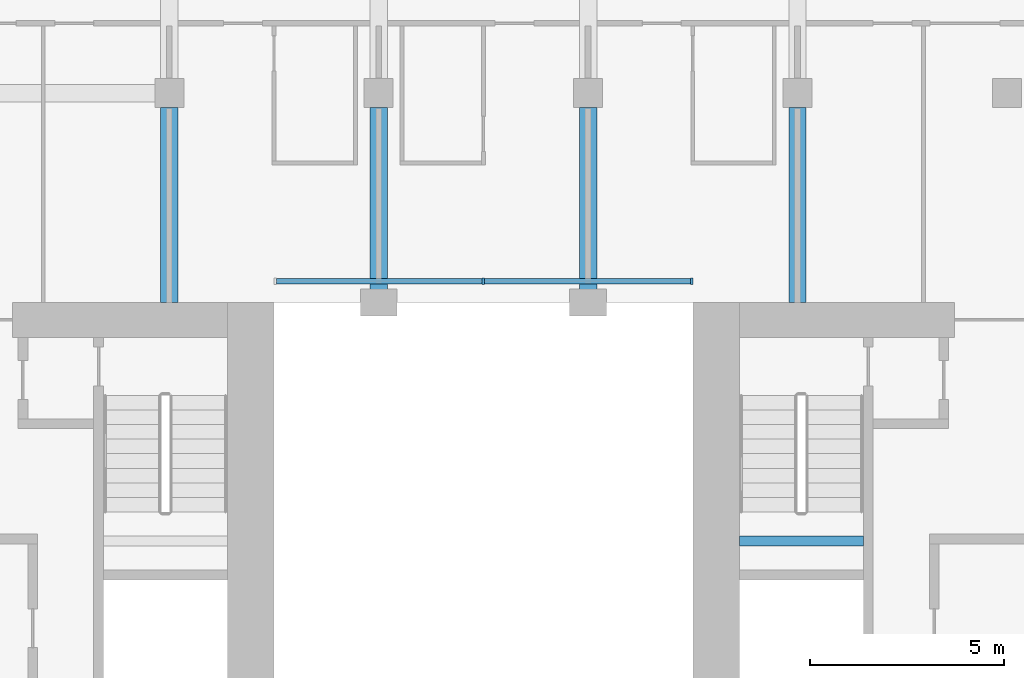
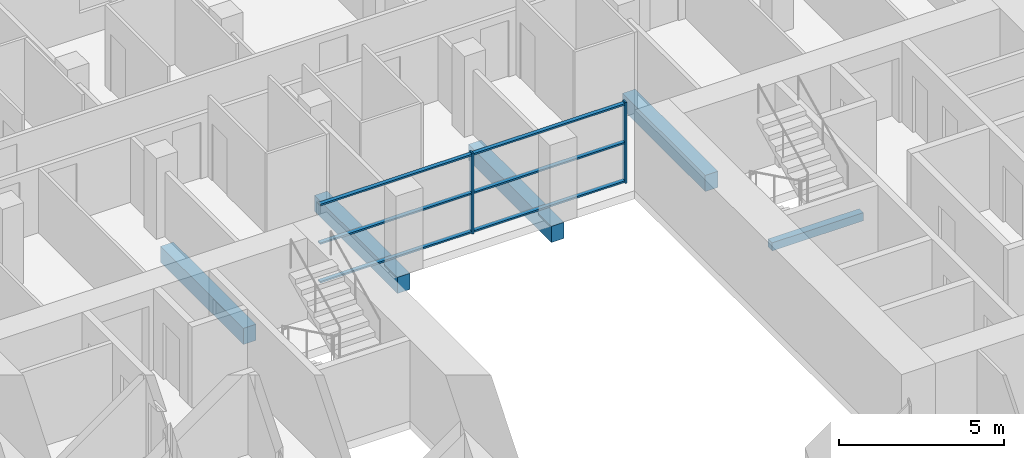
# One storey, part 4 of 13: 8 members, 5 beams, 1 element without a shape of its own.
"""IFC4 building model written with IfcOpenShell, lengths in metres."""

from ifc_helpers import new_model, si_unit, direction, frame, origin, origin_2d, place, context, subcontext, project, spatial, rectangle, extrude, material, material_profile, profile_set, type_object, element, aggregate, save


model = new_model("IFC4")

# Units and contexts
model_context = context("Model", 3, precision=1e-05, world=origin(), true_north=direction((0.0, 1.0)))
body_context = subcontext(model_context, "Body", "Model", "MODEL_VIEW")
ifc_project = project(units=[si_unit("LENGTHUNIT", "METRE"), si_unit("AREAUNIT", "SQUARE_METRE"), si_unit("VOLUMEUNIT", "CUBIC_METRE"), si_unit("PLANEANGLEUNIT", "RADIAN"), si_unit("MASSUNIT", "GRAM", prefix="KILO")], contexts=[model_context])

# Site, building, storey
site_placement = place(None, origin())
site = spatial("IfcSite", under=ifc_project, at=site_placement, CompositionType="ELEMENT")
building_placement = place(site_placement, origin())
building = spatial("IfcBuilding", under=site, at=building_placement, Name="Tabaq Tower and Sports Hall", CompositionType="ELEMENT")
storey_placement = place(building_placement, frame((0.0, 0.0, 220.300048828125)))
storey = spatial("IfcBuildingStorey", under=building, at=storey_placement, Name="L55", CompositionType="ELEMENT", Elevation=220.300048828125)

# Curtain wall, members
ifc_material_1 = material(Name="Aluminium alloy 6063-T6 framed glazing", Category="aluminium")
curtain_wall_type = type_object("IfcCurtainWallType", Name="CW1 curtain wall", PredefinedType="USERDEFINED", material=ifc_material_1)
curtain_wall_placement = place(storey_placement, origin())
curtain_wall = element("IfcCurtainWall", 1, at=curtain_wall_placement, inside=storey, type_object=curtain_wall_type, Name="Atrium glazing L55 N", ObjectType="ATRIUM ENCLOSURE", PredefinedType="USERDEFINED")
ifc_material_2 = material(Name="Aluminium alloy 6063-T6", Category="aluminium")
ifc_material_profile_1 = material_profile(ifc_material_2, rectangle(XDim=0.159912109375, YDim=0.06005859375, at=origin_2d()), Name="MULLION 160x60")
ifc_profile_set_1 = profile_set([ifc_material_profile_1], Name="Aluminium alloy 6063-T6")
member_type_1 = type_object("IfcMemberType", Name="CW1 mullion 160x60", PredefinedType="MULLION", material=ifc_profile_set_1)
member_1_placement = place(storey_placement, frame((24.300048828125, 32.949951171875, 0.0), z_axis=(0.0, 0.0, 1.0), x_axis=(0.0, 1.0, 0.0)))
member_1 = element("IfcMember", 2, at=member_1_placement, type_object=member_type_1, Name="CW1 mullion 2", PredefinedType="MULLION", context=body_context, shape_type="SweptSolid", body=[
    extrude(rectangle(XDim=0.159912109375, YDim=0.06005859375, at=origin_2d()), origin(), (0.0, 0.0, 1.0), 3.0),
])
member_2_placement = place(storey_placement, frame((29.669921875, 32.949951171875, 0.0), z_axis=(0.0, 0.0, 1.0), x_axis=(0.0, 1.0, 0.0)))
member_2 = element("IfcMember", 3, at=member_2_placement, type_object=member_type_1, Name="CW1 mullion 3", PredefinedType="MULLION", context=body_context, shape_type="SweptSolid", body=[
    extrude(rectangle(XDim=0.159912109375, YDim=0.06005859375, at=origin_2d()), origin(), (0.0, 0.0, 1.0), 3.0),
])
ifc_material_3 = material(Name="Aluminium alloy 6063-T6", Category="aluminium")
ifc_material_profile_2 = material_profile(ifc_material_3, rectangle(XDim=0.139892578125, YDim=0.06005859375, at=origin_2d()), Name="TRANSOM 140x60")
ifc_profile_set_2 = profile_set([ifc_material_profile_2], Name="Aluminium alloy 6063-T6")
member_type_2 = type_object("IfcMemberType", Name="CW1 transom 140x60", PredefinedType="USERDEFINED", material=ifc_profile_set_2)
member_3_placement = place(storey_placement, frame((18.9599609375, 32.949951171875, 0.070068359375), z_axis=(1.0, 0.0, 0.0), x_axis=(0.0, 1.0, 0.0)))
member_3 = element("IfcMember", 4, at=member_3_placement, type_object=member_type_2, Name="CW1 transom 1.1", ObjectType="TRANSOM", PredefinedType="USERDEFINED", context=body_context, shape_type="SweptSolid", body=[
    extrude(rectangle(XDim=0.139892578125, YDim=0.06005859375, at=origin_2d()), origin(), (0.0, 0.0, 1.0), 5.31005859375),
])
member_4_placement = place(storey_placement, frame((18.9599609375, 32.949951171875, 1.5), z_axis=(1.0, 0.0, 0.0), x_axis=(0.0, 1.0, 0.0)))
member_4 = element("IfcMember", 5, at=member_4_placement, type_object=member_type_2, Name="CW1 transom 1.2", ObjectType="TRANSOM", PredefinedType="USERDEFINED", context=body_context, shape_type="SweptSolid", body=[
    extrude(rectangle(XDim=0.139892578125, YDim=0.06005859375, at=origin_2d()), origin(), (0.0, 0.0, 1.0), 5.31005859375),
])
member_5_placement = place(storey_placement, frame((18.9599609375, 32.949951171875, 2.929931640625), z_axis=(1.0, 0.0, 0.0), x_axis=(0.0, 1.0, 0.0)))
member_5 = element("IfcMember", 6, at=member_5_placement, type_object=member_type_2, Name="CW1 transom 1.3", ObjectType="TRANSOM", PredefinedType="USERDEFINED", context=body_context, shape_type="SweptSolid", body=[
    extrude(rectangle(XDim=0.139892578125, YDim=0.06005859375, at=origin_2d()), origin(), (0.0, 0.0, 1.0), 5.31005859375),
])
member_6_placement = place(storey_placement, frame((24.330078125, 32.949951171875, 0.070068359375), z_axis=(1.0, 0.0, 0.0), x_axis=(0.0, 1.0, 0.0)))
member_6 = element("IfcMember", 7, at=member_6_placement, type_object=member_type_2, Name="CW1 transom 2.1", ObjectType="TRANSOM", PredefinedType="USERDEFINED", context=body_context, shape_type="SweptSolid", body=[
    extrude(rectangle(XDim=0.139892578125, YDim=0.06005859375, at=origin_2d()), origin(), (0.0, 0.0, 1.0), 5.309814453125),
])
member_7_placement = place(storey_placement, frame((24.330078125, 32.949951171875, 1.5), z_axis=(1.0, 0.0, 0.0), x_axis=(0.0, 1.0, 0.0)))
member_7 = element("IfcMember", 8, at=member_7_placement, type_object=member_type_2, Name="CW1 transom 2.2", ObjectType="TRANSOM", PredefinedType="USERDEFINED", context=body_context, shape_type="SweptSolid", body=[
    extrude(rectangle(XDim=0.139892578125, YDim=0.06005859375, at=origin_2d()), origin(), (0.0, 0.0, 1.0), 5.309814453125),
])
member_8_placement = place(storey_placement, frame((24.330078125, 32.949951171875, 2.929931640625), z_axis=(1.0, 0.0, 0.0), x_axis=(0.0, 1.0, 0.0)))
member_8 = element("IfcMember", 9, at=member_8_placement, type_object=member_type_2, Name="CW1 transom 2.3", ObjectType="TRANSOM", PredefinedType="USERDEFINED", context=body_context, shape_type="SweptSolid", body=[
    extrude(rectangle(XDim=0.139892578125, YDim=0.06005859375, at=origin_2d()), origin(), (0.0, 0.0, 1.0), 5.309814453125),
])
aggregate(curtain_wall, [member_1, member_2, member_3, member_4, member_5, member_6, member_7, member_8])

# Beams
ifc_material_4 = material(Name="Concrete C40/50", Category="concrete")
ifc_material_profile_3 = material_profile(ifc_material_4, rectangle(XDim=0.449951171875, YDim=0.60009765625, at=origin_2d()), Name="CB 450x600")
ifc_profile_set_3 = profile_set([ifc_material_profile_3], Name="Concrete C40/50")
beam_type_1 = type_object("IfcBeamType", Name="PT CANTILEVER BEAM CB 450x600 C40/50", PredefinedType="BEAM", material=ifc_profile_set_3)
for number, where, z_axis, x_axis, name in (
    (10, (16.199951171875, 37.425048828125, -0.60009765625), (0.0, -1.0, 0.0), (1.0, 0.0, 0.0), "Cantilever Beam L55 N3 span 3"),
    (11, (21.60009765625, 37.425048828125, -0.60009765625), (0.0, -1.0, 0.0), (1.0, 0.0, 0.0), "Cantilever Beam L55 N4 span 3"),
    (12, (27.0, 37.425048828125, -0.60009765625), (0.0, -1.0, 0.0), (1.0, 0.0, 0.0), "Cantilever Beam L55 N5 span 3"),
    (13, (32.39990234375, 37.425048828125, -0.60009765625), (0.0, -1.0, 0.0), (1.0, 0.0, 0.0), "Cantilever Beam L55 N6 span 3"),
):
    element("IfcBeam", number, at=place(storey_placement, frame(where, z_axis=z_axis, x_axis=x_axis)), inside=storey, type_object=beam_type_1, Name=name, PredefinedType="BEAM", context=body_context, shape_type="SweptSolid", body=[
        extrude(rectangle(XDim=0.449951171875, YDim=0.60009765625, at=origin_2d()), origin(), (0.0, 0.0, 1.0), 5.025146484375),
    ])
ifc_material_5 = material(Name="Concrete C40/50", Category="concrete")
ifc_material_profile_4 = material_profile(ifc_material_5, rectangle(XDim=0.25, YDim=0.300048828125, at=origin_2d()), Name="RC 250x300")
ifc_profile_set_4 = profile_set([ifc_material_profile_4], Name="Concrete C40/50")
beam_type_2 = type_object("IfcBeamType", Name="Stair landing beam 250x300", PredefinedType="BEAM", material=ifc_profile_set_4)
beam_placement = place(storey_placement, frame((30.89990234375, 26.25, 1.300048828125), z_axis=(1.0, 0.0, 0.0), x_axis=(0.0, 1.0, 0.0)))
element("IfcBeam", 14, at=beam_placement, inside=storey, type_object=beam_type_2, Name="L55 ST4 landing beam 1", PredefinedType="BEAM", context=body_context, shape_type="SweptSolid", body=[
    extrude(rectangle(XDim=0.25, YDim=0.300048828125, at=origin_2d()), origin(), (0.0, 0.0, 1.0), 3.2001953125),
])

save(model, "model.ifc")
